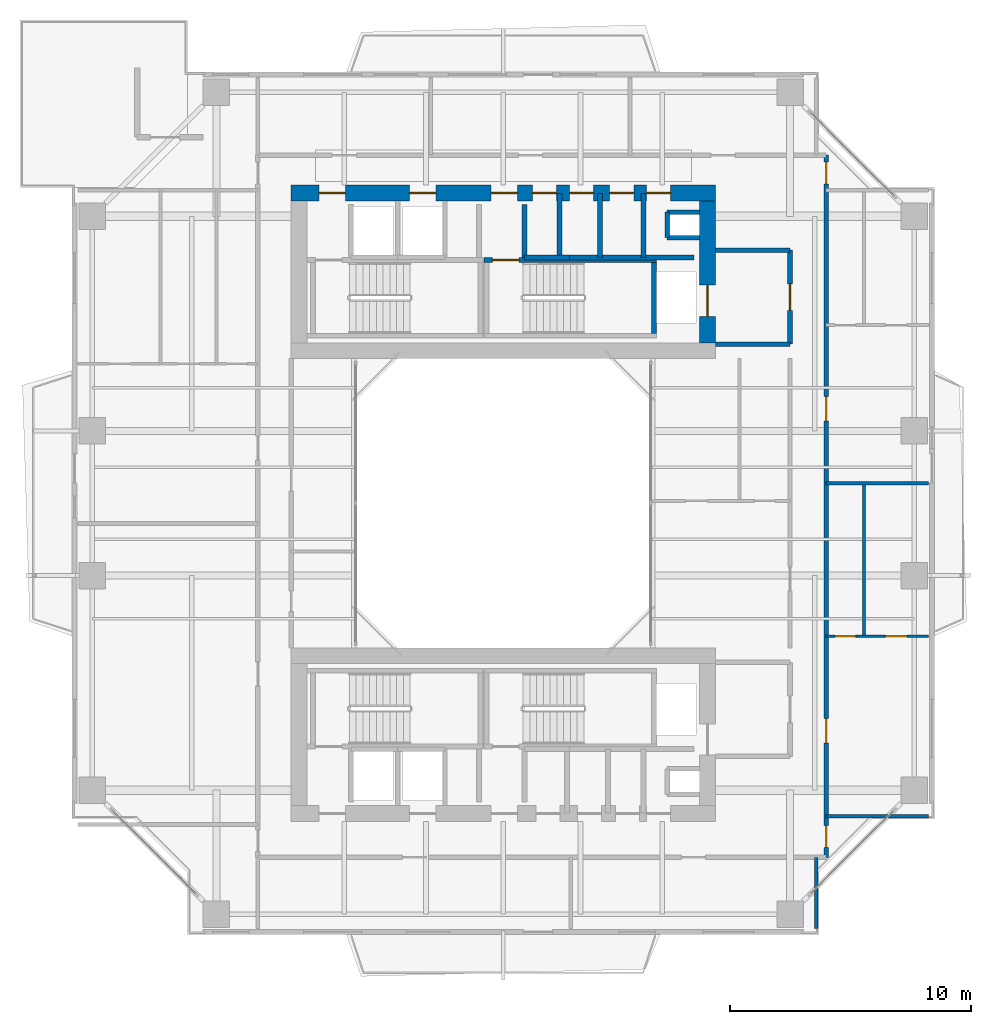
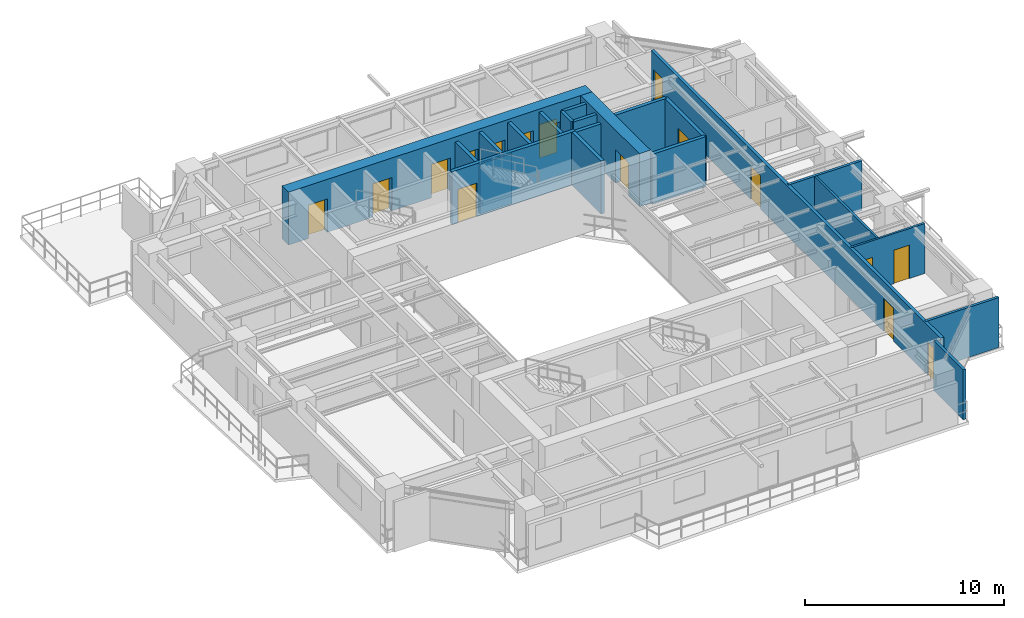
# One storey, part 12 of 17: 22 walls, 16 doors, 16 openings.
"""IFC4 building model written with IfcOpenShell, lengths in metres."""

from ifc_helpers import new_model, si_unit, direction, frame, frame_2d, origin, place, context, subcontext, project, spatial, rectangle, extrude, source, transform, mapped, material, layer, layer_set, type_object, element, fill, save


model = new_model("IFC4")

# Units and contexts
model_context = context("Model", 3, precision=1e-05, world=origin(), true_north=direction((0.0, 1.0)))
body_context = subcontext(model_context, "Body", "Model", "MODEL_VIEW")
ifc_project = project(units=[si_unit("LENGTHUNIT", "METRE"), si_unit("AREAUNIT", "SQUARE_METRE"), si_unit("VOLUMEUNIT", "CUBIC_METRE"), si_unit("PLANEANGLEUNIT", "RADIAN"), si_unit("MASSUNIT", "GRAM", prefix="KILO"), si_unit("THERMODYNAMICTEMPERATUREUNIT", "KELVIN"), si_unit("POWERUNIT", "WATT")], contexts=[model_context])

# Site, building, storey
site_placement = place(None, origin())
site = spatial("IfcSite", under=ifc_project, at=site_placement, CompositionType="ELEMENT")
building_placement = place(site_placement, origin())
building = spatial("IfcBuilding", under=site, at=building_placement, Name="Qiaomeng Ring Towers", CompositionType="ELEMENT")
storey_placement = place(building_placement, frame((0.0, 0.0, 132.75)))
storey = spatial("IfcBuildingStorey", under=building, at=storey_placement, Name="L38", CompositionType="ELEMENT", Elevation=132.75)

# Walls
ifc_material_1 = material(Name="Autoclaved aerated concrete block", Category="concrete")
ifc_layer_1 = layer(ifc_material_1, 0.199951171875, Name="Autoclaved aerated concrete block")
ifc_layer_set_1 = layer_set([ifc_layer_1], Name="Autoclaved aerated concrete block")
wall_type_1 = type_object("IfcWallType", Name="ARC-WL-PW1", PredefinedType="PARTITIONING", material=ifc_layer_set_1)
for number, where, z_axis, x_axis, name in (
    (1, (27.800048828125, 29.60009765625, 0.0), (0.0, 0.0, 1.0), (1.0, 0.0, 0.0), "L38 Interior Wall PW1"),
    (2, (27.800048828125, 33.5, 0.0), (0.0, 0.0, 1.0), (1.0, 0.0, 0.0), "L38 Interior Wall PW1"),
):
    element("IfcWall", number, at=place(storey_placement, frame(where, z_axis=z_axis, x_axis=x_axis)), inside=storey, type_object=wall_type_1, Name=name, PredefinedType="PARTITIONING", context=body_context, shape_type="SweptSolid", body=[
        extrude(rectangle(XDim=3.099853515625, YDim=0.199951171875, at=frame_2d((1.5498046875, 0.0))), origin(), (0.0, 0.0, 1.0), 3.070068359375),
    ])

# Wall, opening, door
wall_1_placement = place(storey_placement, frame((30.89990234375, 29.60009765625, 0.0), z_axis=(0.0, 0.0, 1.0), x_axis=(0.0, 1.0, 0.0)))
wall_1 = element("IfcWall", 3, at=wall_1_placement, inside=storey, type_object=wall_type_1, Name="L38 Interior Wall PW1", PredefinedType="PARTITIONING", context=body_context, shape_type="SweptSolid", body=[
    extrude(rectangle(XDim=3.89990234375, YDim=0.199951171875, at=frame_2d((1.949951171875, 0.0))), origin(), (0.0, 0.0, 1.0), 3.070068359375),
])
opening_1_placement = place(wall_1_placement, frame((1.39990234375, 0.0, 0.0)))
opening_1 = element("IfcOpeningElement", 4, at=opening_1_placement, cuts=wall_1, Name="Opening FD3", PredefinedType="OPENING", context=body_context, shape_type="SweptSolid", body=[
    extrude(rectangle(XDim=1.10009765625, YDim=2.050048828125, at=frame_2d((0.550048828125, 1.02490234375))), frame((0.0, 0.10986328125, 0.0), z_axis=(0.0, -1.0, 0.0), x_axis=(1.0, 0.0, 0.0)), (0.0, 0.0, 1.0), 0.219970703125),
])
ifc_material_2 = material(Name="Galvanised steel", Category="steel")
door_type_1 = type_object("IfcDoorType", Name="ARC-DR-FD3", OperationType="NOTDEFINED", PredefinedType="DOOR", material=ifc_material_2)
shared_shape_1 = source(origin(), body_context, "Body", "SweptSolid", [
    extrude(rectangle(XDim=1.10009765625, YDim=2.050048828125, at=frame_2d((0.550048828125, 1.02490234375))), frame((0.0, 0.02490234375, 0.0), z_axis=(0.0, -1.0, 0.0), x_axis=(1.0, 0.0, 0.0)), (0.0, 0.0, 1.0), 0.050048828125),
])
door_1_placement = place(opening_1_placement, origin())
door_1 = element("IfcDoor", 5, at=door_1_placement, inside=storey, type_object=door_type_1, Name="L38 North FF Lobby Door", OperationType="SINGLE_SWING_LEFT", OverallHeight=2.050048828125, OverallWidth=1.10009765625, PredefinedType="DOOR", context=body_context, shape_type="MappedRepresentation", body=[
    mapped(shared_shape_1, transform((0.0, 0.0, 0.0), x_axis=(1.0, 0.0, 0.0), y_axis=(0.0, 1.0, 0.0), z_axis=(0.0, 0.0, 1.0), scale=1.0)),
])
fill(opening_1, door_1)

# Walls
wall_2_placement = place(storey_placement, frame((19.8798828125, 33.18994140625, 0.0), z_axis=(0.0, 0.0, 1.0), x_axis=(0.0, 1.0, 0.0)))
element("IfcWall", 6, at=wall_2_placement, inside=storey, type_object=wall_type_1, Name="L38 Interior Wall PW1", PredefinedType="PARTITIONING", context=body_context, shape_type="SweptSolid", body=[
    extrude(rectangle(XDim=2.2099609375, YDim=0.199951171875, at=frame_2d((1.10498046875, 0.0))), origin(), (0.0, 0.0, 1.0), 3.070068359375),
])
wall_3_placement = place(storey_placement, frame((24.820068359375, 33.199951171875, 0.0), z_axis=(0.0, 0.0, 1.0), x_axis=(0.0, 1.0, 0.0)))
element("IfcWall", 7, at=wall_3_placement, inside=storey, type_object=wall_type_1, Name="L38 Interior Wall PW1", PredefinedType="PARTITIONING", context=body_context, shape_type="SweptSolid", body=[
    extrude(rectangle(XDim=2.650146484375, YDim=0.199951171875, at=frame_2d((1.3251953125, 0.0))), origin(), (0.0, 0.0, 1.0), 3.070068359375),
])
wall_4_placement = place(storey_placement, frame((19.8798828125, 33.199951171875, 0.0), z_axis=(0.0, 0.0, 1.0), x_axis=(1.0, 0.0, 0.0)))
element("IfcWall", 8, at=wall_4_placement, inside=storey, type_object=wall_type_1, Name="L38 Interior Wall PW1", PredefinedType="PARTITIONING", context=body_context, shape_type="SweptSolid", body=[
    extrude(rectangle(XDim=1.8701171875, YDim=0.199951171875, at=frame_2d((0.93505859375, 0.0))), origin(), (0.0, 0.0, 1.0), 3.070068359375),
])
for number, where, z_axis, x_axis, name in (
    (9, (21.340087890625, 33.199951171875, 0.0), (0.0, 0.0, 1.0), (0.0, 1.0, 0.0), "L38 Interior Wall PW1"),
    (10, (23.010009765625, 33.199951171875, 0.0), (0.0, 0.0, 1.0), (0.0, 1.0, 0.0), "L38 Interior Wall PW1"),
):
    element("IfcWall", number, at=place(storey_placement, frame(where, z_axis=z_axis, x_axis=x_axis)), inside=storey, type_object=wall_type_1, Name=name, PredefinedType="PARTITIONING", context=body_context, shape_type="SweptSolid", body=[
        extrude(rectangle(XDim=2.650146484375, YDim=0.199951171875, at=frame_2d((1.3251953125, 0.0))), origin(), (0.0, 0.0, 1.0), 3.070068359375),
    ])
wall_5_placement = place(storey_placement, frame((21.75, 33.199951171875, 0.0), z_axis=(0.0, 0.0, 1.0), x_axis=(1.0, 0.0, 0.0)))
element("IfcWall", 11, at=wall_5_placement, inside=storey, type_object=wall_type_1, Name="L38 Interior Wall PW1", PredefinedType="PARTITIONING", context=body_context, shape_type="SweptSolid", body=[
    extrude(rectangle(XDim=5.169921875, YDim=0.199951171875, at=frame_2d((2.5849609375, 0.0))), origin(), (0.0, 0.0, 1.0), 3.070068359375),
])

# Wall, openings, doors
ifc_layer_2 = layer(ifc_material_1, 0.179931640625, Name="Autoclaved aerated concrete block")
ifc_layer_set_2 = layer_set([ifc_layer_2], Name="Autoclaved aerated concrete block")
wall_type_2 = type_object("IfcWallType", Name="ARC-WL-PW2", PredefinedType="PARTITIONING", material=ifc_layer_set_2)
wall_6_placement = place(storey_placement, frame((32.39990234375, 8.31005859375, 0.0), z_axis=(0.0, 0.0, 1.0), x_axis=(0.0, 1.0, 0.0)))
wall_6 = element("IfcWall", 12, at=wall_6_placement, inside=storey, type_object=wall_type_2, Name="L38 Interior Wall PW2", PredefinedType="PARTITIONING", context=body_context, shape_type="SweptSolid", body=[
    extrude(rectangle(XDim=29.1298828125, YDim=0.179931640625, at=frame_2d((14.56494140625, 0.0))), origin(), (0.0, 0.0, 1.0), 3.070068359375),
])
opening_2_placement = place(wall_6_placement, frame((27.93994140625, 0.0, 0.0)))
opening_2 = element("IfcOpeningElement", 13, at=opening_2_placement, cuts=wall_6, Name="Opening ID1", PredefinedType="OPENING", context=body_context, shape_type="SweptSolid", body=[
    extrude(rectangle(XDim=0.89990234375, YDim=2.050048828125, at=frame_2d((0.449951171875, 1.02490234375))), frame((0.0, 0.099853515625, 0.0), z_axis=(0.0, -1.0, 0.0), x_axis=(1.0, 0.0, 0.0)), (0.0, 0.0, 1.0), 0.199951171875),
])
opening_3_placement = place(wall_6_placement, frame((0.4150390625, 0.0, 0.0)))
opening_3 = element("IfcOpeningElement", 14, at=opening_3_placement, cuts=wall_6, Name="Opening ID1", PredefinedType="OPENING", context=body_context, shape_type="SweptSolid", body=[
    extrude(rectangle(XDim=0.89990234375, YDim=2.050048828125, at=frame_2d((0.449951171875, 1.02490234375))), frame((0.0, 0.099853515625, 0.0), z_axis=(0.0, -1.0, 0.0), x_axis=(1.0, 0.0, 0.0)), (0.0, 0.0, 1.0), 0.199951171875),
])
opening_4_placement = place(wall_6_placement, frame((4.75, 0.0, 0.0)))
opening_4 = element("IfcOpeningElement", 15, at=opening_4_placement, cuts=wall_6, Name="Opening FD4", PredefinedType="OPENING", context=body_context, shape_type="SweptSolid", body=[
    extrude(rectangle(XDim=1.0, YDim=2.050048828125, at=frame_2d((0.5, 1.02490234375))), frame((0.0, 0.099853515625, 0.0), z_axis=(0.0, -1.0, 0.0), x_axis=(1.0, 0.0, 0.0)), (0.0, 0.0, 1.0), 0.199951171875),
])
opening_5_placement = place(wall_6_placement, frame((18.110107421875, 0.0, 0.0)))
opening_5 = element("IfcOpeningElement", 16, at=opening_5_placement, cuts=wall_6, Name="Opening FD4", PredefinedType="OPENING", context=body_context, shape_type="SweptSolid", body=[
    extrude(rectangle(XDim=1.0, YDim=2.050048828125, at=frame_2d((0.5, 1.02490234375))), frame((0.0, 0.099853515625, 0.0), z_axis=(0.0, -1.0, 0.0), x_axis=(1.0, 0.0, 0.0)), (0.0, 0.0, 1.0), 0.199951171875),
])
ifc_material_3 = material(Name="Engineered fire-rated oak timber", Category="wood")
door_type_2 = type_object("IfcDoorType", Name="ARC-DR-FD4", OperationType="NOTDEFINED", PredefinedType="DOOR", material=ifc_material_3)
shared_shape_2 = source(origin(), body_context, "Body", "SweptSolid", [
    extrude(rectangle(XDim=1.0, YDim=2.050048828125, at=frame_2d((0.5, 1.02490234375))), frame((0.0, 0.02490234375, 0.0), z_axis=(0.0, -1.0, 0.0), x_axis=(1.0, 0.0, 0.0)), (0.0, 0.0, 1.0), 0.050048828125),
])
door_2_placement = place(opening_4_placement, origin())
door_2 = element("IfcDoor", 17, at=door_2_placement, inside=storey, type_object=door_type_2, Name="L38 Door FD4", OperationType="SINGLE_SWING_LEFT", OverallHeight=2.050048828125, OverallWidth=1.0, PredefinedType="DOOR", context=body_context, shape_type="MappedRepresentation", body=[
    mapped(shared_shape_2, transform((0.0, 0.0, 0.0), x_axis=(1.0, 0.0, 0.0), y_axis=(0.0, 1.0, 0.0), z_axis=(0.0, 0.0, 1.0), scale=1.0)),
])
fill(opening_4, door_2)
door_3_placement = place(opening_5_placement, origin())
door_3 = element("IfcDoor", 18, at=door_3_placement, inside=storey, type_object=door_type_2, Name="L38 Door FD4", OperationType="SINGLE_SWING_RIGHT", OverallHeight=2.050048828125, OverallWidth=1.0, PredefinedType="DOOR", context=body_context, shape_type="MappedRepresentation", body=[
    mapped(shared_shape_2, transform((0.0, 0.0, 0.0), x_axis=(1.0, 0.0, 0.0), y_axis=(0.0, 1.0, 0.0), z_axis=(0.0, 0.0, 1.0), scale=1.0)),
])
fill(opening_5, door_3)
ifc_material_4 = material(Name="Engineered oak timber", Category="wood")
door_type_3 = type_object("IfcDoorType", Name="ARC-DR-ID1", OperationType="NOTDEFINED", PredefinedType="DOOR", material=ifc_material_4)
shared_shape_3 = source(origin(), body_context, "Body", "SweptSolid", [
    extrude(rectangle(XDim=0.89990234375, YDim=2.050048828125, at=frame_2d((0.449951171875, 1.02490234375))), frame((0.0, 0.02490234375, 0.0), z_axis=(0.0, -1.0, 0.0), x_axis=(1.0, 0.0, 0.0)), (0.0, 0.0, 1.0), 0.050048828125),
])
door_4_placement = place(opening_2_placement, origin())
door_4 = element("IfcDoor", 19, at=door_4_placement, inside=storey, type_object=door_type_3, Name="L38 Door ID1", OperationType="SINGLE_SWING_LEFT", OverallHeight=2.050048828125, OverallWidth=0.89990234375, PredefinedType="DOOR", context=body_context, shape_type="MappedRepresentation", body=[
    mapped(shared_shape_3, transform((0.0, 0.0, 0.0), x_axis=(1.0, 0.0, 0.0), y_axis=(0.0, 1.0, 0.0), z_axis=(0.0, 0.0, 1.0), scale=1.0)),
])
fill(opening_2, door_4)
door_5_placement = place(opening_3_placement, origin())
door_5 = element("IfcDoor", 20, at=door_5_placement, inside=storey, type_object=door_type_3, Name="L38 Door ID1", OperationType="SINGLE_SWING_RIGHT", OverallHeight=2.050048828125, OverallWidth=0.89990234375, PredefinedType="DOOR", context=body_context, shape_type="MappedRepresentation", body=[
    mapped(shared_shape_3, transform((0.0, 0.0, 0.0), x_axis=(1.0, 0.0, 0.0), y_axis=(0.0, 1.0, 0.0), z_axis=(0.0, 0.0, 1.0), scale=1.0)),
])
fill(opening_3, door_5)

# Walls
ifc_material_5 = material(Name="Gypsum fireboard steel-stud partition", Category="steel")
ifc_layer_3 = layer(ifc_material_5, 0.14990234375, Name="Gypsum fireboard steel-stud partition")
ifc_layer_set_3 = layer_set([ifc_layer_3], Name="Gypsum fireboard steel-stud partition")
wall_type_3 = type_object("IfcWallType", Name="ARC-WL-PW3", PredefinedType="PARTITIONING", material=ifc_layer_set_3)
wall_7_placement = place(storey_placement, frame((31.97998046875, 5.35009765625, 0.0), z_axis=(0.0, 0.0, 1.0), x_axis=(0.0, 1.0, 0.0)))
element("IfcWall", 21, at=wall_7_placement, inside=storey, type_object=wall_type_3, Name="L38 Interior Wall PW3", PredefinedType="PARTITIONING", context=body_context, shape_type="SweptSolid", body=[
    extrude(rectangle(XDim=2.9599609375, YDim=0.14990234375, at=frame_2d((1.47998046875, 0.0))), origin(), (0.0, 0.0, 1.0), 3.070068359375),
])
for number, where, z_axis, x_axis, name in (
    (22, (32.39990234375, 10.02001953125, 0.0), (0.0, 0.0, 1.0), (1.0, 0.0, 0.0), "L38 Interior Wall PW3"),
    (23, (32.39990234375, 23.830078125, 0.0), (0.0, 0.0, 1.0), (1.0, 0.0, 0.0), "L38 Interior Wall PW3"),
):
    element("IfcWall", number, at=place(storey_placement, frame(where, z_axis=z_axis, x_axis=x_axis)), inside=storey, type_object=wall_type_3, Name=name, PredefinedType="PARTITIONING", context=body_context, shape_type="SweptSolid", body=[
        extrude(rectangle(XDim=4.25, YDim=0.14990234375, at=frame_2d((2.125, 0.0))), origin(), (0.0, 0.0, 1.0), 3.070068359375),
    ])

# Wall, openings, doors
ifc_material_6 = material(Name="Moisture-resistant gypsum steel-stud partition", Category="steel")
ifc_layer_4 = layer(ifc_material_6, 0.1201171875, Name="Moisture-resistant gypsum steel-stud partition")
ifc_layer_set_4 = layer_set([ifc_layer_4], Name="Moisture-resistant gypsum steel-stud partition")
wall_type_4 = type_object("IfcWallType", Name="ARC-WL-PW4", PredefinedType="PLUMBINGWALL", material=ifc_layer_set_4)
wall_8_placement = place(storey_placement, frame((32.39990234375, 17.47998046875, 0.0), z_axis=(0.0, 0.0, 1.0), x_axis=(1.0, 0.0, 0.0)))
wall_8 = element("IfcWall", 24, at=wall_8_placement, inside=storey, type_object=wall_type_4, Name="L38 Interior Wall PW4", PredefinedType="PLUMBINGWALL", context=body_context, shape_type="SweptSolid", body=[
    extrude(rectangle(XDim=4.25, YDim=0.1201171875, at=frame_2d((2.125, 0.0))), origin(), (0.0, 0.0, 1.0), 3.070068359375),
])
opening_6_placement = place(wall_8_placement, frame((0.3701171875, 0.0, 0.0)))
opening_6 = element("IfcOpeningElement", 25, at=opening_6_placement, cuts=wall_8, Name="Opening ID2", PredefinedType="OPENING", context=body_context, shape_type="SweptSolid", body=[
    extrude(rectangle(XDim=0.85009765625, YDim=2.050048828125, at=frame_2d((0.425048828125, 1.02490234375))), frame((0.0, 0.070068359375, 0.0), z_axis=(0.0, -1.0, 0.0), x_axis=(1.0, 0.0, 0.0)), (0.0, 0.0, 1.0), 0.14013671875),
])
opening_7_placement = place(wall_8_placement, frame((2.449951171875, 0.0, 0.0)))
opening_7 = element("IfcOpeningElement", 26, at=opening_7_placement, cuts=wall_8, Name="Opening ID1", PredefinedType="OPENING", context=body_context, shape_type="SweptSolid", body=[
    extrude(rectangle(XDim=0.89990234375, YDim=2.050048828125, at=frame_2d((0.449951171875, 1.02490234375))), frame((0.0, 0.070068359375, 0.0), z_axis=(0.0, -1.0, 0.0), x_axis=(1.0, 0.0, 0.0)), (0.0, 0.0, 1.0), 0.14013671875),
])
ifc_material_7 = material(Name="Moisture-resistant engineered timber", Category="wood")
door_type_4 = type_object("IfcDoorType", Name="ARC-DR-ID2", OperationType="NOTDEFINED", PredefinedType="DOOR", material=ifc_material_7)
shared_shape_4 = source(origin(), body_context, "Body", "SweptSolid", [
    extrude(rectangle(XDim=0.85009765625, YDim=2.050048828125, at=frame_2d((0.425048828125, 1.02490234375))), frame((0.0, 0.02490234375, 0.0), z_axis=(0.0, -1.0, 0.0), x_axis=(1.0, 0.0, 0.0)), (0.0, 0.0, 1.0), 0.050048828125),
])
door_6_placement = place(opening_6_placement, origin())
door_6 = element("IfcDoor", 27, at=door_6_placement, inside=storey, type_object=door_type_4, Name="L38 Door ID2", OperationType="SINGLE_SWING_LEFT", OverallHeight=2.050048828125, OverallWidth=0.85009765625, PredefinedType="DOOR", context=body_context, shape_type="MappedRepresentation", body=[
    mapped(shared_shape_4, transform((0.0, 0.0, 0.0), x_axis=(1.0, 0.0, 0.0), y_axis=(0.0, 1.0, 0.0), z_axis=(0.0, 0.0, 1.0), scale=1.0)),
])
fill(opening_6, door_6)
door_7_placement = place(opening_7_placement, origin())
door_7 = element("IfcDoor", 28, at=door_7_placement, inside=storey, type_object=door_type_3, Name="L38 Door ID1", OperationType="SINGLE_SWING_RIGHT", OverallHeight=2.050048828125, OverallWidth=0.89990234375, PredefinedType="DOOR", context=body_context, shape_type="MappedRepresentation", body=[
    mapped(shared_shape_3, transform((0.0, 0.0, 0.0), x_axis=(1.0, 0.0, 0.0), y_axis=(0.0, 1.0, 0.0), z_axis=(0.0, 0.0, 1.0), scale=1.0)),
])
fill(opening_7, door_7)

# Walls
wall_9_placement = place(storey_placement, frame((33.969970703125, 17.47998046875, 0.0), z_axis=(0.0, 0.0, 1.0), x_axis=(0.0, 1.0, 0.0)))
element("IfcWall", 29, at=wall_9_placement, inside=storey, type_object=wall_type_4, Name="L38 Interior Wall PW4", PredefinedType="PLUMBINGWALL", context=body_context, shape_type="SweptSolid", body=[
    extrude(rectangle(XDim=6.35009765625, YDim=0.1201171875, at=frame_2d((3.175048828125, 0.0))), origin(), (0.0, 0.0, 1.0), 3.070068359375),
])
ifc_material_8 = material(Name="Concrete C40", Category="concrete")
ifc_layer_5 = layer(ifc_material_8, 0.199951171875, Name="Concrete C40")
ifc_layer_set_5 = layer_set([ifc_layer_5], Name="Concrete C40")
wall_type_5 = type_object("IfcWallType", Name="STR-WL-STSHAFT", PredefinedType="SHEAR", material=ifc_layer_set_5)
wall_10_placement = place(storey_placement, frame((25.800048828125, 34.02001953125, 0.0), z_axis=(0.0, 0.0, 1.0), x_axis=(0.0, 1.0, 0.0)))
element("IfcWall", 30, at=wall_10_placement, inside=storey, type_object=wall_type_5, Name="L38 Riser RSR1 West Shaft Wall N", PredefinedType="SHEAR", context=body_context, shape_type="SweptSolid", body=[
    extrude(rectangle(XDim=1.06005859375, YDim=0.179931640625, at=frame_2d((0.530029296875, 0.0))), origin(), (0.0, 0.0, 1.0), 3.070068359375),
])
for number, where, z_axis, x_axis, name in (
    (31, (25.800048828125, 35.080078125, 0.0), (0.0, 0.0, 1.0), (1.0, 0.0, 0.0), "L38 Riser RSR1 North Shaft Wall N"),
    (32, (25.800048828125, 34.02001953125, 0.0), (0.0, 0.0, 1.0), (1.0, 0.0, 0.0), "L38 Riser RSR1 South Shaft Wall N"),
):
    element("IfcWall", number, at=place(storey_placement, frame(where, z_axis=z_axis, x_axis=x_axis)), inside=storey, type_object=wall_type_5, Name=name, PredefinedType="SHEAR", context=body_context, shape_type="SweptSolid", body=[
        extrude(rectangle(XDim=1.349853515625, YDim=0.179931640625, at=frame_2d((0.6748046875, 0.0))), origin(), (0.0, 0.0, 1.0), 3.070068359375),
    ])

# Wall, opening, door
wall_11_placement = place(storey_placement, frame((18.199951171875, 33.090087890625, 0.0), z_axis=(0.0, 0.0, 1.0), x_axis=(1.0, 0.0, 0.0)))
wall_11 = element("IfcWall", 33, at=wall_11_placement, inside=storey, type_object=wall_type_5, Name="L38 Stair ST2 North Shaft Shear Wall", PredefinedType="SHEAR", context=body_context, shape_type="SweptSolid", body=[
    extrude(rectangle(XDim=7.150146484375, YDim=0.199951171875, at=frame_2d((3.5751953125, 0.0))), origin(), (0.0, 0.0, 1.0), 3.25),
])
opening_8_placement = place(wall_11_placement, frame((0.35009765625, 0.0, 0.0)))
opening_8 = element("IfcOpeningElement", 34, at=opening_8_placement, cuts=wall_11, Name="Opening FD3", PredefinedType="OPENING", context=body_context, shape_type="SweptSolid", body=[
    extrude(rectangle(XDim=1.10009765625, YDim=2.050048828125, at=frame_2d((0.550048828125, 1.02490234375))), frame((0.0, 0.10986328125, 0.0), z_axis=(0.0, -1.0, 0.0), x_axis=(1.0, 0.0, 0.0)), (0.0, 0.0, 1.0), 0.219970703125),
])
door_8_placement = place(opening_8_placement, origin())
door_8 = element("IfcDoor", 35, at=door_8_placement, inside=storey, type_object=door_type_1, Name="L38 Stair ST2 Exit Door", OperationType="SINGLE_SWING_RIGHT", OverallHeight=2.050048828125, OverallWidth=1.10009765625, PredefinedType="DOOR", context=body_context, shape_type="MappedRepresentation", body=[
    mapped(shared_shape_1, transform((0.0, 0.0, 0.0), x_axis=(1.0, 0.0, 0.0), y_axis=(0.0, 1.0, 0.0), z_axis=(0.0, 0.0, 1.0), scale=1.0)),
])
fill(opening_8, door_8)

# Wall
wall_12_placement = place(storey_placement, frame((25.25, 30.050048828125, 0.0), z_axis=(0.0, 0.0, 1.0), x_axis=(0.0, 1.0, 0.0)))
element("IfcWall", 36, at=wall_12_placement, inside=storey, type_object=wall_type_5, Name="L38 Stair ST2 East Shaft Shear Wall", PredefinedType="SHEAR", context=body_context, shape_type="SweptSolid", body=[
    extrude(rectangle(XDim=2.93994140625, YDim=0.199951171875, at=frame_2d((1.469970703125, 0.0))), origin(), (0.0, 0.0, 1.0), 3.25),
])

# Wall, openings, doors
ifc_material_9 = material(Name="Concrete C55", Category="concrete")
ifc_layer_6 = layer(ifc_material_9, 0.64990234375, Name="Concrete C55")
ifc_layer_set_6 = layer_set([ifc_layer_6], Name="Concrete C55")
wall_type_6 = type_object("IfcWallType", Name="STR-WL-SW2A", PredefinedType="SHEAR", material=ifc_layer_set_6)
wall_13_placement = place(storey_placement, frame((10.199951171875, 35.875, 0.0), z_axis=(0.0, 0.0, 1.0), x_axis=(1.0, 0.0, 0.0)))
wall_13 = element("IfcWall", 37, at=wall_13_placement, inside=storey, type_object=wall_type_6, Name="L38 T1NC north core shear wall", PredefinedType="SHEAR", context=body_context, shape_type="SweptSolid", body=[
    extrude(rectangle(XDim=17.60009765625, YDim=0.64990234375, at=frame_2d((8.800048828125, 0.0))), origin(), (0.0, 0.0, 1.0), 3.25),
])
opening_9_placement = place(wall_13_placement, frame((1.14990234375, 0.0, 0.0)))
opening_9 = element("IfcOpeningElement", 38, at=opening_9_placement, cuts=wall_13, Name="Opening FD3", PredefinedType="OPENING", context=body_context, shape_type="SweptSolid", body=[
    extrude(rectangle(XDim=1.10009765625, YDim=2.050048828125, at=frame_2d((0.550048828125, 1.02490234375))), frame((0.0, 0.3349609375, 0.0), z_axis=(0.0, -1.0, 0.0), x_axis=(1.0, 0.0, 0.0)), (0.0, 0.0, 1.0), 0.669921875),
])
opening_10_placement = place(wall_13_placement, frame((8.300048828125, 0.0, 0.0)))
opening_10 = element("IfcOpeningElement", 39, at=opening_10_placement, cuts=wall_13, Name="Opening FD3", PredefinedType="OPENING", context=body_context, shape_type="SweptSolid", body=[
    extrude(rectangle(XDim=1.10009765625, YDim=2.050048828125, at=frame_2d((0.550048828125, 1.02490234375))), frame((0.0, 0.3349609375, 0.0), z_axis=(0.0, -1.0, 0.0), x_axis=(1.0, 0.0, 0.0)), (0.0, 0.0, 1.0), 0.669921875),
])
opening_11_placement = place(wall_13_placement, frame((4.89990234375, 0.0, 0.0)))
opening_11 = element("IfcOpeningElement", 40, at=opening_11_placement, cuts=wall_13, Name="Opening LD1", PredefinedType="OPENING", context=body_context, shape_type="SweptSolid", body=[
    extrude(rectangle(XDim=1.10009765625, YDim=2.050048828125, at=frame_2d((0.550048828125, 1.02490234375))), frame((0.0, 0.3349609375, 0.0), z_axis=(0.0, -1.0, 0.0), x_axis=(1.0, 0.0, 0.0)), (0.0, 0.0, 1.0), 0.669921875),
])
opening_12_placement = place(wall_13_placement, frame((14.739990234375, 0.0, 0.0)))
opening_12 = element("IfcOpeningElement", 41, at=opening_12_placement, cuts=wall_13, Name="Opening FD1", PredefinedType="OPENING", context=body_context, shape_type="SweptSolid", body=[
    extrude(rectangle(XDim=1.0, YDim=2.050048828125, at=frame_2d((0.5, 1.02490234375))), frame((0.0, 0.3349609375, 0.0), z_axis=(0.0, -1.0, 0.0), x_axis=(1.0, 0.0, 0.0)), (0.0, 0.0, 1.0), 0.669921875),
])
opening_13_placement = place(wall_13_placement, frame((10.0048828125, 0.0, 0.0)))
opening_13 = element("IfcOpeningElement", 42, at=opening_13_placement, cuts=wall_13, Name="Opening FD1", PredefinedType="OPENING", context=body_context, shape_type="SweptSolid", body=[
    extrude(rectangle(XDim=1.0, YDim=2.050048828125, at=frame_2d((0.5, 1.02490234375))), frame((0.0, 0.3349609375, 0.0), z_axis=(0.0, -1.0, 0.0), x_axis=(1.0, 0.0, 0.0)), (0.0, 0.0, 1.0), 0.669921875),
])
opening_14_placement = place(wall_13_placement, frame((11.550048828125, 0.0, 0.0)))
opening_14 = element("IfcOpeningElement", 43, at=opening_14_placement, cuts=wall_13, Name="Opening FD1", PredefinedType="OPENING", context=body_context, shape_type="SweptSolid", body=[
    extrude(rectangle(XDim=1.0, YDim=2.050048828125, at=frame_2d((0.5, 1.02490234375))), frame((0.0, 0.3349609375, 0.0), z_axis=(0.0, -1.0, 0.0), x_axis=(1.0, 0.0, 0.0)), (0.0, 0.0, 1.0), 0.669921875),
])
opening_15_placement = place(wall_13_placement, frame((13.215087890625, 0.0, 0.0)))
opening_15 = element("IfcOpeningElement", 44, at=opening_15_placement, cuts=wall_13, Name="Opening FD1", PredefinedType="OPENING", context=body_context, shape_type="SweptSolid", body=[
    extrude(rectangle(XDim=1.0, YDim=2.050048828125, at=frame_2d((0.5, 1.02490234375))), frame((0.0, 0.3349609375, 0.0), z_axis=(0.0, -1.0, 0.0), x_axis=(1.0, 0.0, 0.0)), (0.0, 0.0, 1.0), 0.669921875),
])
door_9_placement = place(opening_9_placement, origin())
door_9 = element("IfcDoor", 45, at=door_9_placement, inside=storey, type_object=door_type_1, Name="L38 Stair ST1 Lobby Door", OperationType="SINGLE_SWING_LEFT", OverallHeight=2.050048828125, OverallWidth=1.10009765625, PredefinedType="DOOR", context=body_context, shape_type="MappedRepresentation", body=[
    mapped(shared_shape_1, transform((0.0, 0.0, 0.0), x_axis=(1.0, 0.0, 0.0), y_axis=(0.0, 1.0, 0.0), z_axis=(0.0, 0.0, 1.0), scale=1.0)),
])
fill(opening_9, door_9)
door_10_placement = place(opening_10_placement, origin())
door_10 = element("IfcDoor", 46, at=door_10_placement, inside=storey, type_object=door_type_1, Name="L38 Stair ST2 Lobby Door", OperationType="SINGLE_SWING_LEFT", OverallHeight=2.050048828125, OverallWidth=1.10009765625, PredefinedType="DOOR", context=body_context, shape_type="MappedRepresentation", body=[
    mapped(shared_shape_1, transform((0.0, 0.0, 0.0), x_axis=(1.0, 0.0, 0.0), y_axis=(0.0, 1.0, 0.0), z_axis=(0.0, 0.0, 1.0), scale=1.0)),
])
fill(opening_10, door_10)
ifc_material_10 = material(Name="Stainless steel 316", Category="steel")
door_type_5 = type_object("IfcDoorType", Name="ARC-DR-LD1", OperationType="NOTDEFINED", PredefinedType="DOOR", material=ifc_material_10)
door_11_placement = place(opening_11_placement, origin())
door_11 = element("IfcDoor", 47, at=door_11_placement, inside=storey, type_object=door_type_5, Name="L38 Mid-Zone Lift LP3 Landing Door", OperationType="SLIDING_TO_LEFT", OverallHeight=2.050048828125, OverallWidth=1.10009765625, PredefinedType="DOOR", context=body_context, shape_type="MappedRepresentation", body=[
    mapped(shared_shape_1, transform((0.0, 0.0, 0.0), x_axis=(1.0, 0.0, 0.0), y_axis=(0.0, 1.0, 0.0), z_axis=(0.0, 0.0, 1.0), scale=1.0)),
])
fill(opening_11, door_11)
door_type_6 = type_object("IfcDoorType", Name="ARC-DR-FD1", OperationType="NOTDEFINED", PredefinedType="DOOR", material=ifc_material_2)
door_12_placement = place(opening_12_placement, origin())
door_12 = element("IfcDoor", 48, at=door_12_placement, inside=storey, type_object=door_type_6, Name="L38 North Electrical Riser Door", OperationType="SINGLE_SWING_LEFT", OverallHeight=2.050048828125, OverallWidth=1.0, PredefinedType="DOOR", context=body_context, shape_type="MappedRepresentation", body=[
    mapped(shared_shape_2, transform((0.0, 0.0, 0.0), x_axis=(1.0, 0.0, 0.0), y_axis=(0.0, 1.0, 0.0), z_axis=(0.0, 0.0, 1.0), scale=1.0)),
])
fill(opening_12, door_12)
door_13_placement = place(opening_13_placement, origin())
door_13 = element("IfcDoor", 49, at=door_13_placement, inside=storey, type_object=door_type_6, Name="L38 North Cleaners Cupboard Door", OperationType="SINGLE_SWING_LEFT", OverallHeight=2.050048828125, OverallWidth=1.0, PredefinedType="DOOR", context=body_context, shape_type="MappedRepresentation", body=[
    mapped(shared_shape_2, transform((0.0, 0.0, 0.0), x_axis=(1.0, 0.0, 0.0), y_axis=(0.0, 1.0, 0.0), z_axis=(0.0, 0.0, 1.0), scale=1.0)),
])
fill(opening_13, door_13)
door_14_placement = place(opening_14_placement, origin())
door_14 = element("IfcDoor", 50, at=door_14_placement, inside=storey, type_object=door_type_6, Name="L38 North Staff Tea Pantry Door", OperationType="SINGLE_SWING_RIGHT", OverallHeight=2.050048828125, OverallWidth=1.0, PredefinedType="DOOR", context=body_context, shape_type="MappedRepresentation", body=[
    mapped(shared_shape_2, transform((0.0, 0.0, 0.0), x_axis=(1.0, 0.0, 0.0), y_axis=(0.0, 1.0, 0.0), z_axis=(0.0, 0.0, 1.0), scale=1.0)),
])
fill(opening_14, door_14)
door_15_placement = place(opening_15_placement, origin())
door_15 = element("IfcDoor", 51, at=door_15_placement, inside=storey, type_object=door_type_6, Name="L38 North Records Study Door", OperationType="SINGLE_SWING_LEFT", OverallHeight=2.050048828125, OverallWidth=1.0, PredefinedType="DOOR", context=body_context, shape_type="MappedRepresentation", body=[
    mapped(shared_shape_2, transform((0.0, 0.0, 0.0), x_axis=(1.0, 0.0, 0.0), y_axis=(0.0, 1.0, 0.0), z_axis=(0.0, 0.0, 1.0), scale=1.0)),
])
fill(opening_15, door_15)

# Wall, opening, door
wall_14_placement = place(storey_placement, frame((27.47509765625, 29.64990234375, 0.0), z_axis=(0.0, 0.0, 1.0), x_axis=(0.0, 1.0, 0.0)))
wall_14 = element("IfcWall", 52, at=wall_14_placement, inside=storey, type_object=wall_type_6, Name="L38 T1NC east core shear wall", PredefinedType="SHEAR", context=body_context, shape_type="SweptSolid", body=[
    extrude(rectangle(XDim=5.900146484375, YDim=0.64990234375, at=frame_2d((2.9501953125, 0.0))), origin(), (0.0, 0.0, 1.0), 3.25),
])
opening_16_placement = place(wall_14_placement, frame((1.10009765625, 0.0, 0.0)))
opening_16 = element("IfcOpeningElement", 53, at=opening_16_placement, cuts=wall_14, Name="Opening LD2", PredefinedType="OPENING", context=body_context, shape_type="SweptSolid", body=[
    extrude(rectangle(XDim=1.300048828125, YDim=2.050048828125, at=frame_2d((0.64990234375, 1.02490234375))), frame((0.0, 0.3349609375, 0.0), z_axis=(0.0, -1.0, 0.0), x_axis=(1.0, 0.0, 0.0)), (0.0, 0.0, 1.0), 0.669921875),
])
door_type_7 = type_object("IfcDoorType", Name="ARC-DR-LD2", OperationType="NOTDEFINED", PredefinedType="DOOR", material=ifc_material_10)
shared_shape_5 = source(origin(), body_context, "Body", "SweptSolid", [
    extrude(rectangle(XDim=1.300048828125, YDim=2.050048828125, at=frame_2d((0.64990234375, 1.02490234375))), frame((0.0, 0.02490234375, 0.0), z_axis=(0.0, -1.0, 0.0), x_axis=(1.0, 0.0, 0.0)), (0.0, 0.0, 1.0), 0.050048828125),
])
door_16_placement = place(opening_16_placement, origin())
door_16 = element("IfcDoor", 54, at=door_16_placement, inside=storey, type_object=door_type_7, Name="L38 Firefighting Lift FL1 Landing Door", OperationType="SLIDING_TO_LEFT", OverallHeight=2.050048828125, OverallWidth=1.300048828125, PredefinedType="DOOR", context=body_context, shape_type="MappedRepresentation", body=[
    mapped(shared_shape_5, transform((0.0, 0.0, 0.0), x_axis=(1.0, 0.0, 0.0), y_axis=(0.0, 1.0, 0.0), z_axis=(0.0, 0.0, 1.0), scale=1.0)),
])
fill(opening_16, door_16)

save(model, "model.ifc")
